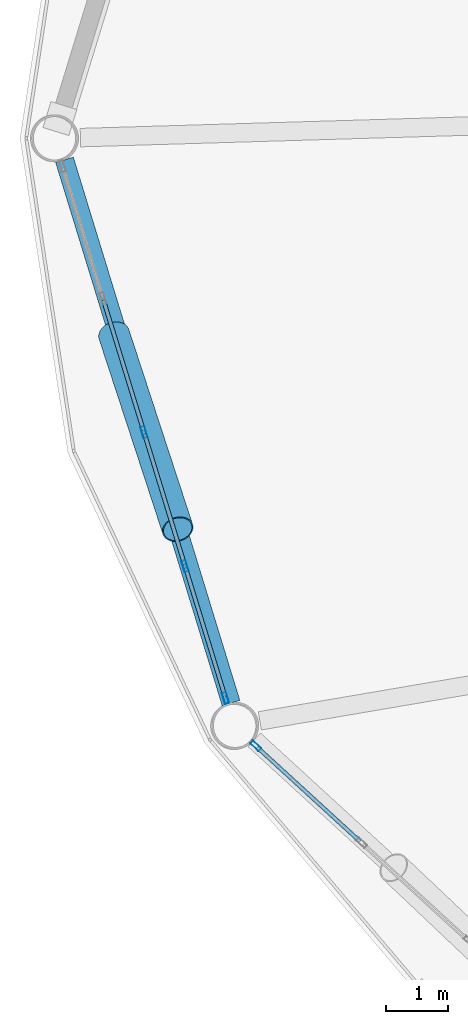
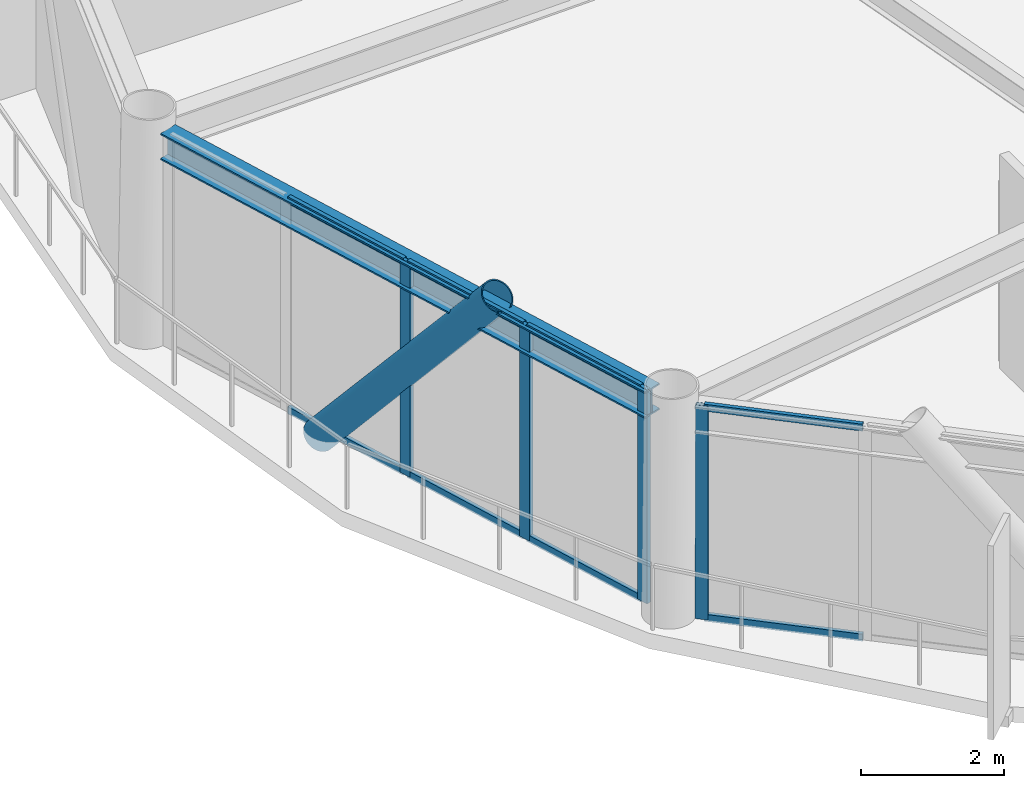
# One storey, part 5 of 26: 13 members, 1 beam, 2 elements without a shape of their own.
"""IFC4 building model written with IfcOpenShell, lengths in metres."""

from ifc_helpers import new_model, si_unit, direction, frame, origin, origin_2d, place, context, subcontext, project, spatial, hollow_rectangle, hollow_circle, i_section, extrude, material, layer, layer_set, material_profile, profile_set, type_object, element, aggregate, save


model = new_model("IFC4")

# Units and contexts
model_context = context("Model", 3, precision=1e-05, world=origin(), true_north=direction((0.0, 1.0)))
body_context = subcontext(model_context, "Body", "Model", "MODEL_VIEW")
ifc_project = project(units=[si_unit("LENGTHUNIT", "METRE"), si_unit("AREAUNIT", "SQUARE_METRE"), si_unit("VOLUMEUNIT", "CUBIC_METRE"), si_unit("PLANEANGLEUNIT", "RADIAN"), si_unit("MASSUNIT", "GRAM", prefix="KILO")], contexts=[model_context])

# Site, building, storey
site_placement = place(None, origin())
site = spatial("IfcSite", under=ifc_project, at=site_placement, CompositionType="ELEMENT")
building_placement = place(site_placement, origin())
building = spatial("IfcBuilding", under=site, at=building_placement, Name="Varnakorn Sky Granary", CompositionType="ELEMENT")
storey_placement = place(building_placement, frame((0.0, 0.0, 138.300048828125)))
storey = spatial("IfcBuildingStorey", under=building, at=storey_placement, Name="L34", CompositionType="ELEMENT", Elevation=138.300048828125)

# Beam
ifc_material_1 = material(Name="Steel S355JR", Category="steel")
ifc_material_profile_1 = material_profile(ifc_material_1, i_section(OverallWidth=0.300048828125, OverallDepth=0.449951171875, WebThickness=0.013916015625, FlangeThickness=0.02587890625, at=origin_2d()), Name="HE 450 B")
ifc_profile_set_1 = profile_set([ifc_material_profile_1], Name="Steel S355JR")
beam_type = type_object("IfcBeamType", Name="BM-SPD-Z3", PredefinedType="SPANDREL", material=ifc_profile_set_1)
beam_placement = place(storey_placement, frame((-22.309814453125, -0.349853515625, 3.4150390625), z_axis=(0.293065193807, -0.956092460057, 0.0), x_axis=(0.956092460057, 0.293065193807, 0.0)))
element("IfcBeam", 1, at=beam_placement, inside=storey, type_object=beam_type, Name="Perimeter Spandrel Ring Beam RB07 L34", PredefinedType="SPANDREL", context=body_context, shape_type="SweptSolid", body=[
    extrude(i_section(OverallWidth=0.300048828125, OverallDepth=0.449951171875, WebThickness=0.013916015625, FlangeThickness=0.02587890625, at=origin_2d()), origin(), (0.0, 0.0, 1.0), 9.2294921875),
])

# Curtain wall, members
ifc_material_2 = material(Name="Anodised Bronze Aluminium Alloy 6063-T6", Category="aluminium")
ifc_layer = layer(ifc_material_2, 0.179931640625, Name="Anodised Bronze Aluminium Alloy 6063-T6")
ifc_layer_set = layer_set([ifc_layer], Name="Anodised Bronze Aluminium Alloy 6063-T6")
curtain_wall_type = type_object("IfcCurtainWallType", Name="CW-FRM-2", PredefinedType="USERDEFINED", material=ifc_layer_set)
curtain_wall_1_placement = place(storey_placement, origin())
curtain_wall_1 = element("IfcCurtainWall", 2, at=curtain_wall_1_placement, inside=storey, type_object=curtain_wall_type, Name="Unitised Curtain Wall CW4 CW-L34-B07", ObjectType="CURTAIN WALL", PredefinedType="USERDEFINED")
ifc_material_profile_2 = material_profile(ifc_material_2, hollow_rectangle(XDim=0.070068359375, YDim=0.18505859375, WallThickness=0.00390625, at=origin_2d()), Name="ALU MULL 70x185")
ifc_profile_set_2 = profile_set([ifc_material_profile_2], Name="Anodised Bronze Aluminium Alloy 6063-T6")
member_type_1 = type_object("IfcMemberType", Name="CW-FRM-2-MULL", PredefinedType="MULLION", material=ifc_profile_set_2)
member_1_placement = place(storey_placement, frame((-19.694580078125, -9.093017578125, 0.0), z_axis=(0.0, 0.0, 1.0), x_axis=(-0.956053346181, -0.293192768083, 0.0)))
member_1 = element("IfcMember", 3, at=member_1_placement, type_object=member_type_1, Name="CW4 mullion 1", PredefinedType="MULLION", context=body_context, shape_type="SweptSolid", body=[
    extrude(hollow_rectangle(XDim=0.070068359375, YDim=0.18505859375, WallThickness=0.00390625, at=origin_2d()), origin(), (0.0, 0.0, 1.0), 3.639892578125),
])
member_2_placement = place(storey_placement, frame((-20.3515625, -6.9501953125, 0.0), z_axis=(0.0, 0.0, 1.0), x_axis=(-0.956053346181, -0.293192768083, 0.0)))
member_2 = element("IfcMember", 4, at=member_2_placement, type_object=member_type_1, Name="CW4 mullion 2", PredefinedType="MULLION", context=body_context, shape_type="SweptSolid", body=[
    extrude(hollow_rectangle(XDim=0.070068359375, YDim=0.18505859375, WallThickness=0.00390625, at=origin_2d()), origin(), (0.0, 0.0, 1.0), 3.639892578125),
])
member_3_placement = place(storey_placement, frame((-21.01904296875, -4.77392578125, 0.0), z_axis=(0.0, 0.0, 1.0), x_axis=(-0.956053346181, -0.293192768083, 0.0)))
member_3 = element("IfcMember", 5, at=member_3_placement, type_object=member_type_1, Name="CW4 mullion 3", PredefinedType="MULLION", context=body_context, shape_type="SweptSolid", body=[
    extrude(hollow_rectangle(XDim=0.070068359375, YDim=0.18505859375, WallThickness=0.00390625, at=origin_2d()), origin(), (0.0, 0.0, 1.0), 3.639892578125),
])

# Curtain wall, member
curtain_wall_2_placement = place(storey_placement, origin())
curtain_wall_2 = element("IfcCurtainWall", 6, at=curtain_wall_2_placement, inside=storey, type_object=curtain_wall_type, Name="Unitised Curtain Wall CW4 CW-L34-B08", ObjectType="CURTAIN WALL", PredefinedType="USERDEFINED")
member_4_placement = place(storey_placement, frame((-19.203857421875, -9.86962890625, 0.0), z_axis=(0.0, 0.0, 1.0), x_axis=(-0.675438035219, -0.737416748236, 0.0)))
member_4 = element("IfcMember", 7, at=member_4_placement, type_object=member_type_1, Name="CW4 mullion 5", PredefinedType="MULLION", context=body_context, shape_type="SweptSolid", body=[
    extrude(hollow_rectangle(XDim=0.070068359375, YDim=0.18505859375, WallThickness=0.00390625, at=origin_2d()), origin(), (0.0, 0.0, 1.0), 3.639892578125),
])

# Member
ifc_material_profile_3 = material_profile(ifc_material_2, hollow_rectangle(XDim=0.06494140625, YDim=0.1201171875, WallThickness=0.00341796875, at=origin_2d()), Name="ALU TRAN 65x120")
ifc_profile_set_3 = profile_set([ifc_material_profile_3], Name="Anodised Bronze Aluminium Alloy 6063-T6")
member_type_2 = type_object("IfcMemberType", Name="CW-FRM-2-TRAN", PredefinedType="USERDEFINED", material=ifc_profile_set_3)
member_5_placement = place(storey_placement, frame((-19.704833984375, -9.0595703125, 0.032470703125), z_axis=(-0.293129662446, 0.956072696501, 0.0), x_axis=(-0.956072696501, -0.293129662446, 0.0)))
member_5 = element("IfcMember", 8, at=member_5_placement, type_object=member_type_2, Name="CW4 transom 1.1", ObjectType="TRANSOM", PredefinedType="USERDEFINED", context=body_context, shape_type="SweptSolid", body=[
    extrude(hollow_rectangle(XDim=0.06494140625, YDim=0.1201171875, WallThickness=0.00341796875, at=origin_2d()), origin(), (0.0, 0.0, 1.0), 2.17138671875),
])

member_6_placement = place(storey_placement, frame((-19.704833984375, -9.0595703125, 3.607421875), z_axis=(-0.293129662446, 0.956072696501, 0.0), x_axis=(-0.956072696501, -0.293129662446, 0.0)))
member_6 = element("IfcMember", 9, at=member_6_placement, type_object=member_type_2, Name="CW4 transom 1.2", ObjectType="TRANSOM", PredefinedType="USERDEFINED", context=body_context, shape_type="SweptSolid", body=[
    extrude(hollow_rectangle(XDim=0.06494140625, YDim=0.1201171875, WallThickness=0.00341796875, at=origin_2d()), origin(), (0.0, 0.0, 1.0), 2.17138671875),
])

member_7_placement = place(storey_placement, frame((-20.36181640625, -6.916748046875, 0.032470703125), z_axis=(-0.293230413404, 0.956041800684, 0.0), x_axis=(-0.956041800684, -0.293230413404, 0.0)))
member_7 = element("IfcMember", 10, at=member_7_placement, type_object=member_type_2, Name="CW4 transom 2.1", ObjectType="TRANSOM", PredefinedType="USERDEFINED", context=body_context, shape_type="SweptSolid", body=[
    extrude(hollow_rectangle(XDim=0.06494140625, YDim=0.1201171875, WallThickness=0.00341796875, at=origin_2d()), origin(), (0.0, 0.0, 1.0), 2.206298828125),
])

member_8_placement = place(storey_placement, frame((-20.36181640625, -6.916748046875, 3.607421875), z_axis=(-0.293230413404, 0.956041800684, 0.0), x_axis=(-0.956041800684, -0.293230413404, 0.0)))
member_8 = element("IfcMember", 11, at=member_8_placement, type_object=member_type_2, Name="CW4 transom 2.2", ObjectType="TRANSOM", PredefinedType="USERDEFINED", context=body_context, shape_type="SweptSolid", body=[
    extrude(hollow_rectangle(XDim=0.06494140625, YDim=0.1201171875, WallThickness=0.00341796875, at=origin_2d()), origin(), (0.0, 0.0, 1.0), 2.206298828125),
])

member_9_placement = place(storey_placement, frame((-21.029296875, -4.740478515625, 0.032470703125), z_axis=(-0.293160284847, 0.956063307207, 0.0), x_axis=(-0.956063307207, -0.293160284847, 0.0)))
member_9 = element("IfcMember", 12, at=member_9_placement, type_object=member_type_2, Name="CW4 transom 3.1", ObjectType="TRANSOM", PredefinedType="USERDEFINED", context=body_context, shape_type="SweptSolid", body=[
    extrude(hollow_rectangle(XDim=0.06494140625, YDim=0.1201171875, WallThickness=0.00341796875, at=origin_2d()), origin(), (0.0, 0.0, 1.0), 2.2060546875),
])

member_10_placement = place(storey_placement, frame((-21.029296875, -4.740478515625, 3.607421875), z_axis=(-0.293160284847, 0.956063307207, 0.0), x_axis=(-0.956063307207, -0.293160284847, 0.0)))
member_10 = element("IfcMember", 13, at=member_10_placement, type_object=member_type_2, Name="CW4 transom 3.2", ObjectType="TRANSOM", PredefinedType="USERDEFINED", context=body_context, shape_type="SweptSolid", body=[
    extrude(hollow_rectangle(XDim=0.06494140625, YDim=0.1201171875, WallThickness=0.00341796875, at=origin_2d()), origin(), (0.0, 0.0, 1.0), 2.2060546875),
])

aggregate(curtain_wall_1, [member_1, member_2, member_3, member_5, member_6, member_7, member_8, member_9, member_10])

member_11_placement = place(storey_placement, frame((-17.510498046875, -11.420654296875, 0.032470703125), z_axis=(-0.737360246557, 0.675499716356, 0.0), x_axis=(-0.675499716356, -0.737360246557, 0.0)))
member_11 = element("IfcMember", 14, at=member_11_placement, type_object=member_type_2, Name="CW4 transom 4.1", ObjectType="TRANSOM", PredefinedType="USERDEFINED", context=body_context, shape_type="SweptSolid", body=[
    extrude(hollow_rectangle(XDim=0.06494140625, YDim=0.1201171875, WallThickness=0.00341796875, at=origin_2d()), origin(), (0.0, 0.0, 1.0), 2.261474609375),
])

member_12_placement = place(storey_placement, frame((-17.510498046875, -11.420654296875, 3.607421875), z_axis=(-0.737360246557, 0.675499716356, 0.0), x_axis=(-0.675499716356, -0.737360246557, 0.0)))
member_12 = element("IfcMember", 15, at=member_12_placement, type_object=member_type_2, Name="CW4 transom 4.2", ObjectType="TRANSOM", PredefinedType="USERDEFINED", context=body_context, shape_type="SweptSolid", body=[
    extrude(hollow_rectangle(XDim=0.06494140625, YDim=0.1201171875, WallThickness=0.00341796875, at=origin_2d()), origin(), (0.0, 0.0, 1.0), 2.261474609375),
])

aggregate(curtain_wall_2, [member_4, member_11, member_12])

ifc_material_3 = material(Name="Steel S460M", Category="steel")
ifc_material_profile_4 = material_profile(ifc_material_3, hollow_circle(Radius=0.25390625, WallThickness=0.01806640625, at=origin_2d()), Name="CHS 508x18")
ifc_profile_set_4 = profile_set([ifc_material_profile_4], Name="Steel S460M")
member_type_3 = type_object("IfcMemberType", Name="MB-DIAG-T2", PredefinedType="BRACE", material=ifc_profile_set_4)
member_13_placement = place(storey_placement, frame((-21.507080078125, -3.1826171875, -0.130126953125), z_axis=(0.20143743631, -0.615511186427, 0.761950745545), x_axis=(0.950398310475, 0.311035450464, 0.0)))
element("IfcMember", 16, at=member_13_placement, inside=storey, type_object=member_type_3, Name="Perimeter CHS Diagrid Brace DG07 L34", PredefinedType="BRACE", context=body_context, shape_type="SweptSolid", body=[
    extrude(hollow_circle(Radius=0.25390625, WallThickness=0.01806640625, at=origin_2d()), origin(), (0.0, 0.0, 1.0), 5.14501953125),
])

save(model, "model.ifc")
